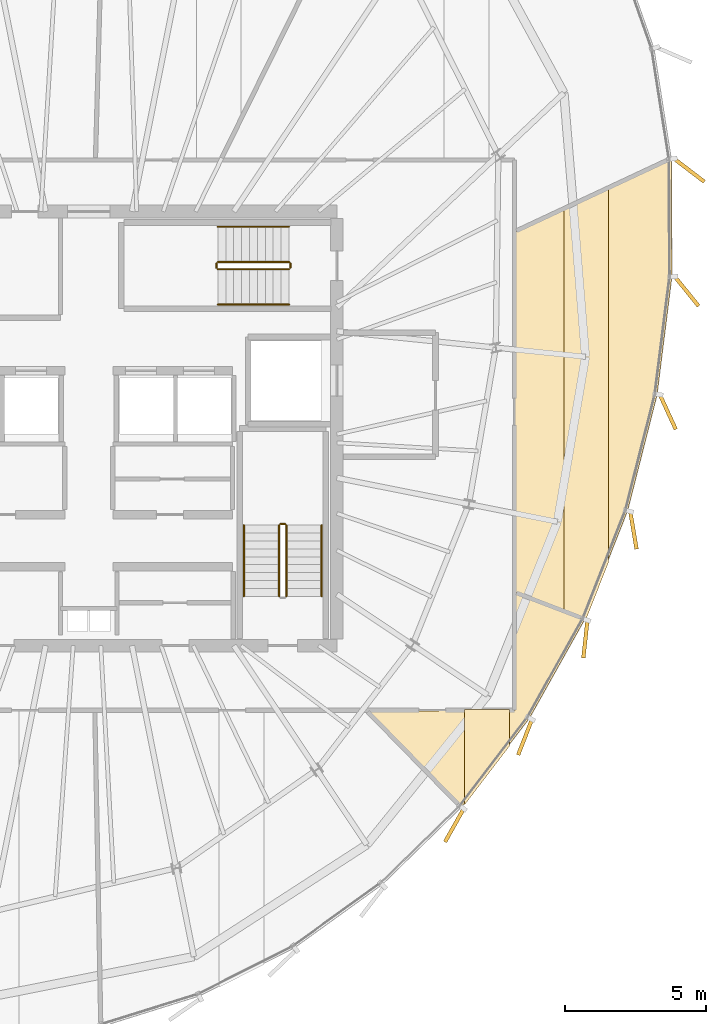
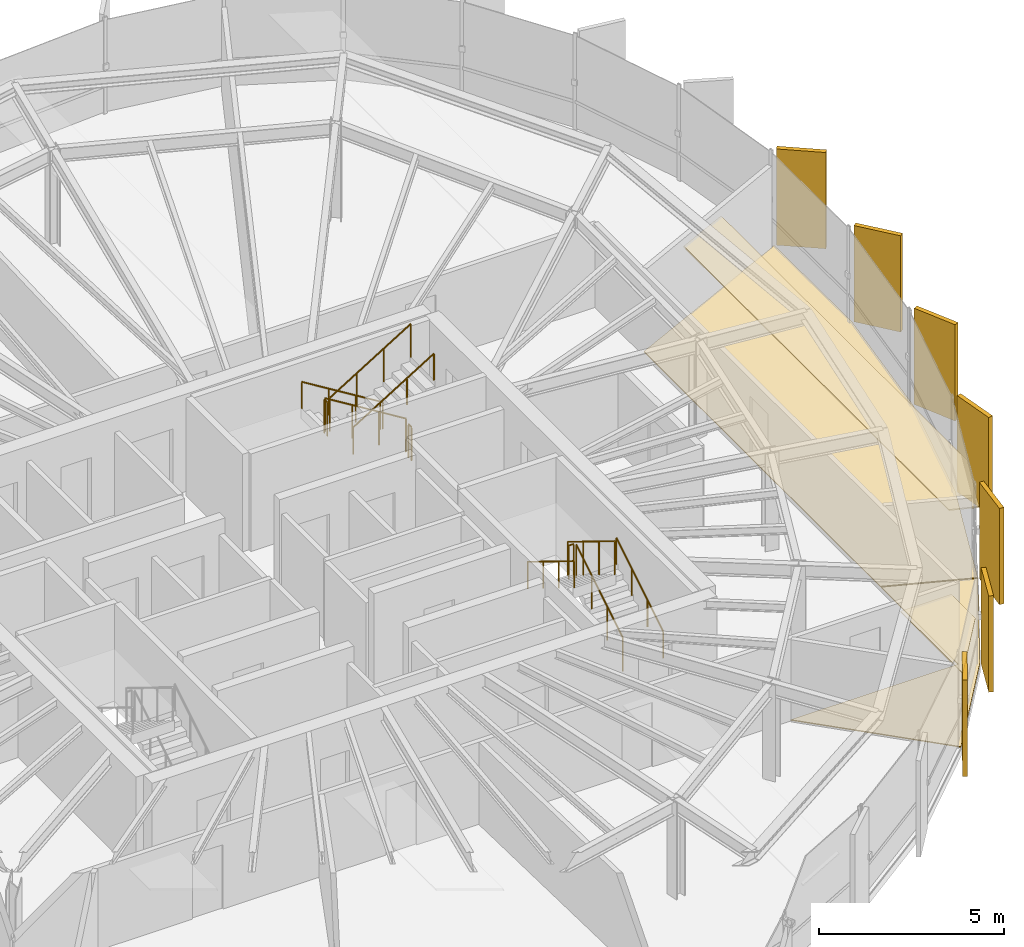
# One storey, part 33 of 34: 11 coverings, 11 railings.
"""IFC4 building model written with IfcOpenShell, lengths in metres."""

from ifc_helpers import new_model, si_unit, direction, frame, origin, origin_2d, place, context, subcontext, project, spatial, polyline, rectangle, circle, outline, extrude, source, transform, mapped, material, layer, layer_set, type_object, element, save


model = new_model("IFC4")

# Units and contexts
model_context = context("Model", 3, precision=1e-05, world=origin(), true_north=direction((0.0, 1.0)))
body_context = subcontext(model_context, "Body", "Model", "MODEL_VIEW")
ifc_project = project(units=[si_unit("LENGTHUNIT", "METRE"), si_unit("AREAUNIT", "SQUARE_METRE"), si_unit("VOLUMEUNIT", "CUBIC_METRE"), si_unit("PLANEANGLEUNIT", "RADIAN"), si_unit("MASSUNIT", "GRAM", prefix="KILO"), si_unit("THERMODYNAMICTEMPERATUREUNIT", "KELVIN")], contexts=[model_context])

# Site, building, storey
site_placement = place(None, origin())
site = spatial("IfcSite", under=ifc_project, at=site_placement, CompositionType="ELEMENT")
building_placement = place(site_placement, origin())
building = spatial("IfcBuilding", under=site, at=building_placement, Name="Kethvar Cultural Tower", CompositionType="ELEMENT")
storey_placement = place(building_placement, frame((0.0, 0.0, 262.89990234375)))
storey = spatial("IfcBuildingStorey", under=building, at=storey_placement, Name="L69", CompositionType="ELEMENT", Elevation=262.89990234375)

# Coverings
ifc_material_1 = material(Name="Acoustic Mineral Fibre Ceiling")
ifc_layer_1 = layer(ifc_material_1, 0.0400390625, Name="Acoustic Mineral Fibre Ceiling")
ifc_layer_set_1 = layer_set([ifc_layer_1], Name="Acoustic Mineral Fibre Ceiling (40 mm)")
covering_type_1 = type_object("IfcCoveringType", Name="CV-ACOUSTIC-CEIL", PredefinedType="CEILING", material=ifc_layer_set_1)
covering_1_placement = place(storey_placement, frame((0.0, 0.0, 2.340087890625)))
element("IfcCovering", 1, at=covering_1_placement, inside=storey, type_object=covering_type_1, Name="L69 Room 04 Acoustic Ceiling Panel", PredefinedType="CEILING", context=body_context, shape_type="SweptSolid", body=[
    extrude(outline(polyline([(60.130126953125, 14.452880859375), (60.130126953125, 17.826904296875), (61.72021484375, 17.826904296875), (61.72021484375, 16.532470703125), (60.130126953125, 14.452880859375)])), origin(), (0.0, 0.0, 1.0), 0.0400390625),
])
covering_2_placement = place(storey_placement, frame((0.0, 0.0, 2.340087890625)))
element("IfcCovering", 2, at=covering_2_placement, inside=storey, type_object=covering_type_1, Name="L69 Room 05 Acoustic Ceiling Panel", PredefinedType="CEILING", context=body_context, shape_type="SweptSolid", body=[
    extrude(outline(polyline([(64.433349609375, 21.021484375), (63.648681640625, 21.302001953125), (63.648681640625, 35.61181640625), (65.238525390625, 36.346923828125), (65.238525390625, 23.064697265625), (64.433349609375, 21.021484375)])), origin(), (0.0, 0.0, 1.0), 0.0400390625),
])
ifc_material_2 = material(Name="Honed Warm Limestone", Category="masonry")
ifc_layer_2 = layer(ifc_material_2, 0.030029296875, Name="Honed Warm Limestone", Category="masonry")
ifc_layer_set_2 = layer_set([ifc_layer_2], Name="Honed Warm Limestone (30 mm)")
covering_type_2 = type_object("IfcCoveringType", Name="CV-STONE-FLOOR", PredefinedType="FLOORING", material=ifc_layer_set_2)
covering_3_placement = place(storey_placement, origin())
element("IfcCovering", 3, at=covering_3_placement, inside=storey, type_object=covering_type_2, Name="L69 Room 04 Floor Finish", PredefinedType="FLOORING", context=body_context, shape_type="SweptSolid", body=[
    extrude(outline(polyline([(62.433349609375, 17.53076171875), (60.03271484375, 14.391357421875), (56.688720703125, 17.787109375), (61.914794921875, 17.79150390625), (61.922119140625, 21.9658203125), (64.385986328125, 21.0185546875), (62.433349609375, 17.53076171875)])), origin(), (0.0, 0.0, 1.0), 0.030029296875),
])
covering_4_placement = place(storey_placement, origin())
element("IfcCovering", 4, at=covering_4_placement, inside=storey, type_object=covering_type_2, Name="L69 Room 05 Floor Finish", PredefinedType="FLOORING", context=body_context, shape_type="SweptSolid", body=[
    extrude(outline(polyline([(67.484130859375, 33.194091796875), (66.953125, 28.97802734375), (65.911376953125, 24.881103515625), (64.403564453125, 21.0546875), (61.922119140625, 22.008544921875), (61.922119140625, 34.76953125), (67.46142578125, 37.33056640625), (67.484130859375, 33.194091796875)])), origin(), (0.0, 0.0, 1.0), 0.030029296875),
])

# Railings
ifc_material_3 = material(Name="Steel S355J2", Category="steel")
railing_type_1 = type_object("IfcRailingType", Name="RL-STAIR-GUARD", PredefinedType="BALUSTRADE", material=ifc_material_3)
railing_1_placement = place(storey_placement, frame((53.81005859375, 21.85009765625, 0.172607421875)))
element("IfcRailing", 5, at=railing_1_placement, inside=storey, type_object=railing_type_1, Name="L69 ST-02 stair guard 1", PredefinedType="BALUSTRADE", context=body_context, shape_type="SweptSolid", body=[
    extrude(circle(Radius=0.02392578125, at=origin_2d()), frame((0.0, 0.0, 1.09619140625), z_axis=(0.0, 0.851400495292, 0.524516154772), x_axis=(-1.0, 0.0, 0.0)), (0.0, 0.0, 1.0), 2.9599609375),
    extrude(circle(Radius=0.02099609375, at=origin_2d()), origin(), (0.0, 0.0, 1.0), 1.072021484375),
    extrude(circle(Radius=0.02099609375, at=origin_2d()), frame((0.0, 0.840087890625, 0.517578125)), (0.0, 0.0, 1.0), 1.072021484375),
    extrude(circle(Radius=0.02099609375, at=origin_2d()), frame((0.0, 1.679931640625, 1.034912109375)), (0.0, 0.0, 1.0), 1.072021484375),
    extrude(circle(Radius=0.02099609375, at=origin_2d()), frame((0.0, 2.52001953125, 1.552490234375)), (0.0, 0.0, 1.0), 1.072021484375),
])
railing_2_placement = place(storey_placement, frame((53.760009765625, 24.419921875, 1.72509765625)))
element("IfcRailing", 6, at=railing_2_placement, inside=storey, type_object=railing_type_1, Name="L69 ST-02 stair guard 2", PredefinedType="BALUSTRADE", context=body_context, shape_type="SweptSolid", body=[
    extrude(circle(Radius=0.02392578125, at=origin_2d()), frame((0.0, 0.0, 1.09619140625), z_axis=(-1.0, 0.0, 0.0), x_axis=(0.0, -1.0, 0.0)), (0.0, 0.0, 1.0), 0.159912109375),
    extrude(circle(Radius=0.02099609375, at=origin_2d()), origin(), (0.0, 0.0, 1.0), 1.072021484375),
    extrude(circle(Radius=0.02099609375, at=origin_2d()), frame((-0.159912109375, 0.0, 0.0)), (0.0, 0.0, 1.0), 1.072021484375),
])
railing_3_placement = place(storey_placement, frame((53.550048828125, 24.3701171875, 1.897705078125)))
element("IfcRailing", 7, at=railing_3_placement, inside=storey, type_object=railing_type_1, Name="L69 ST-02 stair guard 3", PredefinedType="BALUSTRADE", context=body_context, shape_type="SweptSolid", body=[
    extrude(circle(Radius=0.02392578125, at=origin_2d()), frame((0.0, 0.0, 1.09619140625), z_axis=(0.0, -0.851400495292, 0.524516154772), x_axis=(1.0, 0.0, 0.0)), (0.0, 0.0, 1.0), 2.9599609375),
    extrude(circle(Radius=0.02099609375, at=origin_2d()), origin(), (0.0, 0.0, 1.0), 1.072021484375),
    extrude(circle(Radius=0.02099609375, at=origin_2d()), frame((0.0, -0.840087890625, 0.517578125)), (0.0, 0.0, 1.0), 1.072021484375),
    extrude(circle(Radius=0.02099609375, at=origin_2d()), frame((0.0, -1.679931640625, 1.034912109375)), (0.0, 0.0, 1.0), 1.072021484375),
    extrude(circle(Radius=0.02099609375, at=origin_2d()), frame((0.0, -2.52001953125, 1.552490234375)), (0.0, 0.0, 1.0), 1.072021484375),
])
railing_4_placement = place(storey_placement, frame((53.89990234375, 33.7099609375, 0.172607421875)))
element("IfcRailing", 8, at=railing_4_placement, inside=storey, type_object=railing_type_1, Name="L69 ST-03 stair guard 1", PredefinedType="BALUSTRADE", context=body_context, shape_type="SweptSolid", body=[
    extrude(circle(Radius=0.02392578125, at=origin_2d()), frame((0.0, 0.0, 1.09619140625), z_axis=(-0.851400495292, 0.0, 0.524516154772), x_axis=(0.0, -1.0, 0.0)), (0.0, 0.0, 1.0), 2.9599609375),
    extrude(circle(Radius=0.02099609375, at=origin_2d()), origin(), (0.0, 0.0, 1.0), 1.072021484375),
    extrude(circle(Radius=0.02099609375, at=origin_2d()), frame((-0.840087890625, 0.0, 0.517578125)), (0.0, 0.0, 1.0), 1.072021484375),
    extrude(circle(Radius=0.02099609375, at=origin_2d()), frame((-1.679931640625, 0.0, 1.034912109375)), (0.0, 0.0, 1.0), 1.072021484375),
    extrude(circle(Radius=0.02099609375, at=origin_2d()), frame((-2.52001953125, 0.0, 1.552490234375)), (0.0, 0.0, 1.0), 1.072021484375),
])
railing_5_placement = place(storey_placement, frame((51.330078125, 33.659912109375, 1.72509765625)))
element("IfcRailing", 9, at=railing_5_placement, inside=storey, type_object=railing_type_1, Name="L69 ST-03 stair guard 2", PredefinedType="BALUSTRADE", context=body_context, shape_type="SweptSolid", body=[
    extrude(circle(Radius=0.02392578125, at=origin_2d()), frame((0.0, 0.0, 1.09619140625), z_axis=(0.0, -1.0, 0.0), x_axis=(1.0, 0.0, 0.0)), (0.0, 0.0, 1.0), 0.159912109375),
    extrude(circle(Radius=0.02099609375, at=origin_2d()), origin(), (0.0, 0.0, 1.0), 1.072021484375),
    extrude(circle(Radius=0.02099609375, at=origin_2d()), frame((0.0, -0.159912109375, 0.0)), (0.0, 0.0, 1.0), 1.072021484375),
])
railing_6_placement = place(storey_placement, frame((51.3798828125, 33.449951171875, 1.897705078125)))
element("IfcRailing", 10, at=railing_6_placement, inside=storey, type_object=railing_type_1, Name="L69 ST-03 stair guard 3", PredefinedType="BALUSTRADE", context=body_context, shape_type="SweptSolid", body=[
    extrude(circle(Radius=0.02392578125, at=origin_2d()), frame((0.0, 0.0, 1.09619140625), z_axis=(0.851400495292, 0.0, 0.524516154772), x_axis=(0.0, 1.0, 0.0)), (0.0, 0.0, 1.0), 2.9599609375),
    extrude(circle(Radius=0.02099609375, at=origin_2d()), origin(), (0.0, 0.0, 1.0), 1.072021484375),
    extrude(circle(Radius=0.02099609375, at=origin_2d()), frame((0.840087890625, 0.0, 0.517578125)), (0.0, 0.0, 1.0), 1.072021484375),
    extrude(circle(Radius=0.02099609375, at=origin_2d()), frame((1.679931640625, 0.0, 1.034912109375)), (0.0, 0.0, 1.0), 1.072021484375),
    extrude(circle(Radius=0.02099609375, at=origin_2d()), frame((2.52001953125, 0.0, 1.552490234375)), (0.0, 0.0, 1.0), 1.072021484375),
])
railing_7_placement = place(storey_placement, frame((53.949951171875, 33.659912109375, 0.0)))
element("IfcRailing", 11, at=railing_7_placement, inside=storey, type_object=railing_type_1, Name="L69 ST-03 stair guard 4", PredefinedType="BALUSTRADE", context=body_context, shape_type="SweptSolid", body=[
    extrude(circle(Radius=0.02392578125, at=origin_2d()), frame((0.0, 0.0, 1.09619140625), z_axis=(0.0, -1.0, 0.0), x_axis=(1.0, 0.0, 0.0)), (0.0, 0.0, 1.0), 0.159912109375),
    extrude(circle(Radius=0.02099609375, at=origin_2d()), origin(), (0.0, 0.0, 1.0), 1.072021484375),
    extrude(circle(Radius=0.02099609375, at=origin_2d()), frame((0.0, -0.159912109375, 0.0)), (0.0, 0.0, 1.0), 1.072021484375),
])
railing_type_2 = type_object("IfcRailingType", Name="RL-STAIR-HANDRAIL", PredefinedType="HANDRAIL", material=ifc_material_3)
railing_8_placement = place(storey_placement, frame((55.06005859375, 21.85009765625, 0.172607421875)))
element("IfcRailing", 12, at=railing_8_placement, inside=storey, type_object=railing_type_2, Name="L69 ST-02 stair handrail 1", PredefinedType="HANDRAIL", context=body_context, shape_type="SweptSolid", body=[
    extrude(circle(Radius=0.02392578125, at=origin_2d()), frame((0.0, 0.0, 0.8759765625), z_axis=(0.0, 0.851400495292, 0.524516154772), x_axis=(-1.0, 0.0, 0.0)), (0.0, 0.0, 1.0), 2.9599609375),
    extrude(circle(Radius=0.02099609375, at=origin_2d()), origin(), (0.0, 0.0, 1.0), 0.851806640625),
    extrude(circle(Radius=0.02099609375, at=origin_2d()), frame((0.0, 0.840087890625, 0.517578125)), (0.0, 0.0, 1.0), 0.851806640625),
    extrude(circle(Radius=0.02099609375, at=origin_2d()), frame((0.0, 1.679931640625, 1.034912109375)), (0.0, 0.0, 1.0), 0.851806640625),
    extrude(circle(Radius=0.02099609375, at=origin_2d()), frame((0.0, 2.52001953125, 1.552490234375)), (0.0, 0.0, 1.0), 0.851806640625),
])
railing_9_placement = place(storey_placement, frame((52.300048828125, 24.3701171875, 1.897705078125)))
element("IfcRailing", 13, at=railing_9_placement, inside=storey, type_object=railing_type_2, Name="L69 ST-02 stair handrail 2", PredefinedType="HANDRAIL", context=body_context, shape_type="SweptSolid", body=[
    extrude(circle(Radius=0.02392578125, at=origin_2d()), frame((0.0, 0.0, 0.8759765625), z_axis=(0.0, -0.851400495292, 0.524516154772), x_axis=(1.0, 0.0, 0.0)), (0.0, 0.0, 1.0), 2.9599609375),
    extrude(circle(Radius=0.02099609375, at=origin_2d()), origin(), (0.0, 0.0, 1.0), 0.851806640625),
    extrude(circle(Radius=0.02099609375, at=origin_2d()), frame((0.0, -0.840087890625, 0.517578125)), (0.0, 0.0, 1.0), 0.851806640625),
    extrude(circle(Radius=0.02099609375, at=origin_2d()), frame((0.0, -1.679931640625, 1.034912109375)), (0.0, 0.0, 1.0), 0.851806640625),
    extrude(circle(Radius=0.02099609375, at=origin_2d()), frame((0.0, -2.52001953125, 1.552490234375)), (0.0, 0.0, 1.0), 0.851806640625),
])
railing_10_placement = place(storey_placement, frame((53.89990234375, 34.9599609375, 0.172607421875)))
element("IfcRailing", 14, at=railing_10_placement, inside=storey, type_object=railing_type_2, Name="L69 ST-03 stair handrail 1", PredefinedType="HANDRAIL", context=body_context, shape_type="SweptSolid", body=[
    extrude(circle(Radius=0.02392578125, at=origin_2d()), frame((0.0, 0.0, 0.8759765625), z_axis=(-0.851400495292, 0.0, 0.524516154772), x_axis=(0.0, -1.0, 0.0)), (0.0, 0.0, 1.0), 2.9599609375),
    extrude(circle(Radius=0.02099609375, at=origin_2d()), origin(), (0.0, 0.0, 1.0), 0.851806640625),
    extrude(circle(Radius=0.02099609375, at=origin_2d()), frame((-0.840087890625, 0.0, 0.517578125)), (0.0, 0.0, 1.0), 0.851806640625),
    extrude(circle(Radius=0.02099609375, at=origin_2d()), frame((-1.679931640625, 0.0, 1.034912109375)), (0.0, 0.0, 1.0), 0.851806640625),
    extrude(circle(Radius=0.02099609375, at=origin_2d()), frame((-2.52001953125, 0.0, 1.552490234375)), (0.0, 0.0, 1.0), 0.851806640625),
])
railing_11_placement = place(storey_placement, frame((51.3798828125, 32.199951171875, 1.897705078125)))
element("IfcRailing", 15, at=railing_11_placement, inside=storey, type_object=railing_type_2, Name="L69 ST-03 stair handrail 2", PredefinedType="HANDRAIL", context=body_context, shape_type="SweptSolid", body=[
    extrude(circle(Radius=0.02392578125, at=origin_2d()), frame((0.0, 0.0, 0.8759765625), z_axis=(0.851400495292, 0.0, 0.524516154772), x_axis=(0.0, 1.0, 0.0)), (0.0, 0.0, 1.0), 2.9599609375),
    extrude(circle(Radius=0.02099609375, at=origin_2d()), origin(), (0.0, 0.0, 1.0), 0.851806640625),
    extrude(circle(Radius=0.02099609375, at=origin_2d()), frame((0.840087890625, 0.0, 0.517578125)), (0.0, 0.0, 1.0), 0.851806640625),
    extrude(circle(Radius=0.02099609375, at=origin_2d()), frame((1.679931640625, 0.0, 1.034912109375)), (0.0, 0.0, 1.0), 0.851806640625),
    extrude(circle(Radius=0.02099609375, at=origin_2d()), frame((2.52001953125, 0.0, 1.552490234375)), (0.0, 0.0, 1.0), 0.851806640625),
])

# Coverings
ifc_material_4 = material(Name="Extruded Architectural Terracotta", Category="masonry")
ifc_layer_3 = layer(ifc_material_4, 0.135009765625, Name="Extruded Architectural Terracotta", Category="masonry")
ifc_layer_set_3 = layer_set([ifc_layer_3], Name="Extruded Architectural Terracotta (135 mm)")
covering_type_3 = type_object("IfcCoveringType", Name="Terracotta Facade Fin FIN-03", PredefinedType="CLADDING", material=ifc_layer_set_3)
shared_shape = source(origin(), body_context, "Body", "SweptSolid", [
    extrude(rectangle(XDim=1.35009765625, YDim=0.135009765625, at=origin_2d()), origin(), (0.0, 0.0, 1.0), 3.169921875),
])
for number, where, z_axis, x_axis, name in (
    (16, (59.766845703125, 13.72412109375, 0.02001953125), (0.0, 0.0, 1.0), (-0.490903753615, -0.87121381112, 0.0), "L69 Vertical Terracotta Fin 5.3"),
    (17, (62.275390625, 16.8515625, 0.02001953125), (0.0, 0.0, 1.0), (-0.362275366705, -0.932071112458, 0.0), "L69 Vertical Terracotta Fin 5.4"),
    (18, (64.416015625, 20.32861328125, 0.02001953125), (0.0, 0.0, 1.0), (-0.108693377634, -0.994075323936, 0.0), "L69 Vertical Terracotta Fin 5.5"),
    (19, (66.119384765625, 24.189453125, 0.02001953125), (0.0, 0.0, 1.0), (0.165047605861, -0.986285601537, 0.0), "L69 Vertical Terracotta Fin 5.6"),
    (20, (67.339111328125, 28.38671875, 0.02001953125), (0.0, 0.0, 1.0), (0.418342710268, -0.908289258312, 0.0), "L69 Vertical Terracotta Fin 6.1"),
    (21, (68.00830078125, 32.66845703125, 0.02001953125), (0.0, 0.0, 1.0), (0.628641963719, -0.777694851116, 0.0), "L69 Vertical Terracotta Fin 6.2"),
    (22, (68.096923828125, 36.96484375, 0.02001953125), (0.0, 0.0, 1.0), (0.795156077043, -0.60640482612, 0.0), "L69 Vertical Terracotta Fin 6.3"),
):
    element("IfcCovering", number, at=place(storey_placement, frame(where, z_axis=z_axis, x_axis=x_axis)), inside=storey, type_object=covering_type_3, Name=name, PredefinedType="CLADDING", context=body_context, shape_type="MappedRepresentation", body=[
        mapped(shared_shape, transform((0.0, 0.0, 0.0), scale=1.0)),
    ])

save(model, "model.ifc")
